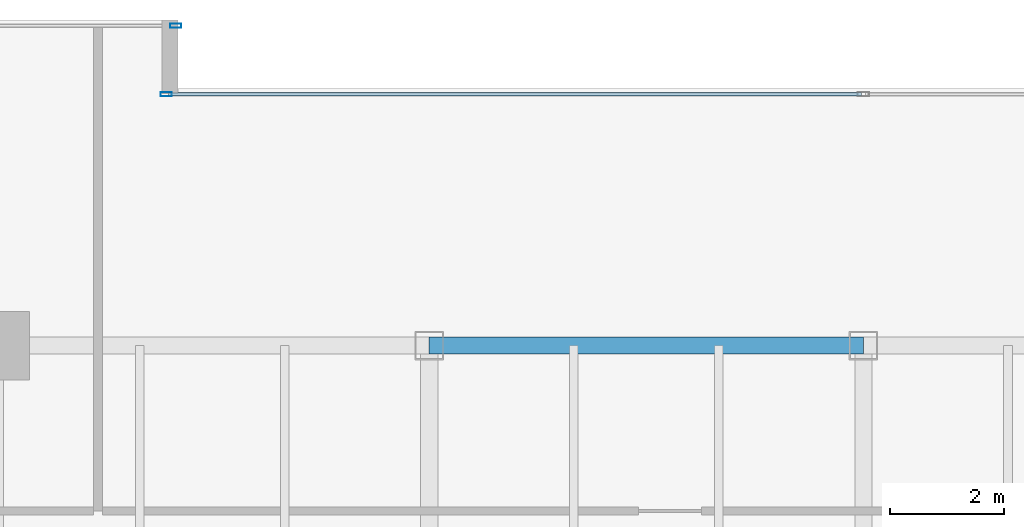
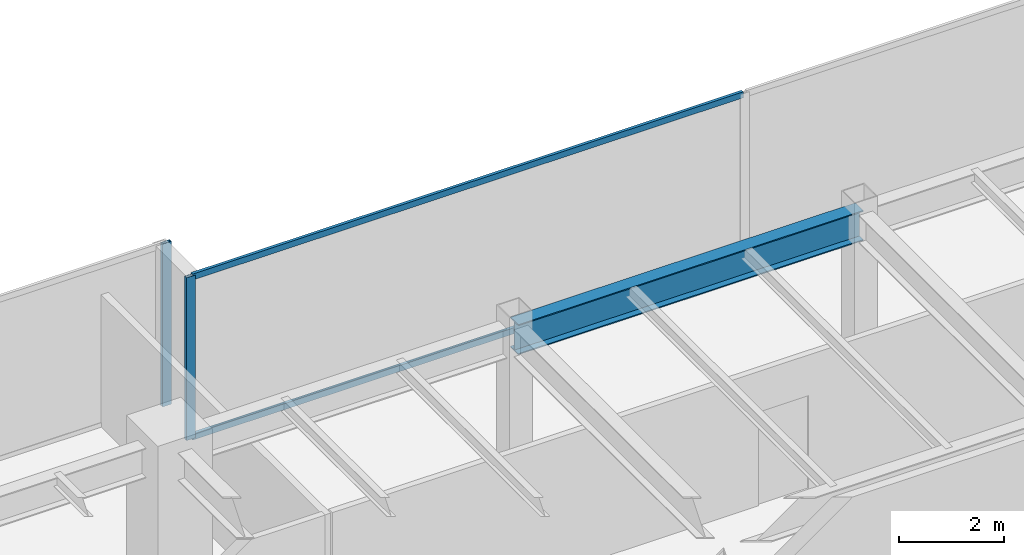
# One storey, part 16 of 30: 4 members, 1 beam, 2 elements without a shape of their own.
"""IFC4 building model written with IfcOpenShell, lengths in metres."""

from ifc_helpers import new_model, si_unit, direction, frame, origin, origin_2d, place, context, subcontext, project, spatial, hollow_rectangle, i_section, extrude, source, transform, mapped, material, layer, layer_set, material_profile, profile_set, type_object, type_shapes, element, aggregate, save


model = new_model("IFC4")

# Units and contexts
model_context = context("Model", 3, precision=1e-05, world=origin(), true_north=direction((0.0, 1.0)))
body_context = subcontext(model_context, "Body", "Model", "MODEL_VIEW")
ifc_project = project(units=[si_unit("LENGTHUNIT", "METRE"), si_unit("AREAUNIT", "SQUARE_METRE"), si_unit("VOLUMEUNIT", "CUBIC_METRE"), si_unit("PLANEANGLEUNIT", "RADIAN"), si_unit("MASSUNIT", "GRAM", prefix="KILO")], contexts=[model_context])

# Site, building, storey
site_placement = place(None, origin())
site = spatial("IfcSite", under=ifc_project, at=site_placement, CompositionType="ELEMENT")
building_placement = place(site_placement, origin())
building = spatial("IfcBuilding", under=site, at=building_placement, Name="Haelvirn Gate Laboratories", CompositionType="ELEMENT")
storey_placement = place(building_placement, frame((0.0, 0.0, 125.60009765625)))
storey = spatial("IfcBuildingStorey", under=building, at=storey_placement, Name="L30", CompositionType="ELEMENT", Elevation=125.60009765625)

# Beam
ifc_material_1 = material(Name="Steel SM355", Category="steel")
ifc_material_profile_1 = material_profile(ifc_material_1, i_section(OverallWidth=0.300048828125, OverallDepth=0.699951171875, WebThickness=0.012939453125, FlangeThickness=0.02392578125, at=origin_2d()), Name="H-700x300x13x24")
ifc_profile_set_1 = profile_set([ifc_material_profile_1], Name="Steel SM355")
beam_type = type_object("IfcBeamType", Name="BM-G-700", PredefinedType="BEAM", material=ifc_profile_set_1)
shared_shape_1 = source(origin(), body_context, "Body", "SweptSolid", [
    extrude(i_section(OverallWidth=0.300048828125, OverallDepth=0.699951171875, WebThickness=0.012939453125, FlangeThickness=0.02392578125, at=origin_2d()), origin(), (0.0, 0.0, 1.0), 7.599853515625),
])
type_shapes(beam_type, [shared_shape_1])
beam_placement = place(storey_placement, frame((29.800048828125, 41.60009765625, 3.43994140625), z_axis=(1.0, 0.0, 0.0), x_axis=(0.0, 1.0, 0.0)))
element("IfcBeam", 1, at=beam_placement, inside=storey, type_object=beam_type, Name="L30 Primary Girder Y41.6 (29.8-37.4)", PredefinedType="BEAM", context=body_context, shape_type="MappedRepresentation", body=[
    mapped(shared_shape_1, transform((0.0, 0.0, 0.0), scale=1.0)),
])

# Curtain wall, members
ifc_material_2 = material(Name="Anodised bronze unitised aluminium & triple low-E glass", Category="aluminium")
ifc_layer = layer(ifc_material_2, 0.179931640625, Name="CW-SYS-3")
ifc_layer_set = layer_set([ifc_layer], Name="Anodised bronze unitised aluminium & triple low-E glass")
curtain_wall_type = type_object("IfcCurtainWallType", Name="CW-SYS-3", PredefinedType="NOTDEFINED", material=ifc_layer_set)
curtain_wall_1_placement = place(storey_placement, origin())
curtain_wall_1 = element("IfcCurtainWall", 2, at=curtain_wall_1_placement, inside=storey, type_object=curtain_wall_type, Name="L30 Unitised Curtain Wall CW-L30-P0-E12-1", PredefinedType="NOTDEFINED")
ifc_material_3 = material(Name="Extruded aluminium 6063-T6 (anodised bronze)", Category="aluminium")
ifc_material_profile_2 = material_profile(ifc_material_3, hollow_rectangle(XDim=0.06494140625, YDim=0.139892578125, WallThickness=0.00390625, at=origin_2d()), Name="CWT-140x65x4")
ifc_profile_set_2 = profile_set([ifc_material_profile_2], Name="Extruded aluminium 6063-T6 (anodised bronze)")
member_type_1 = type_object("IfcMemberType", Name="CWT-T140", PredefinedType="USERDEFINED", material=ifc_profile_set_2)
shared_shape_2 = source(origin(), body_context, "Body", "SweptSolid", [
    extrude(hollow_rectangle(XDim=0.06494140625, YDim=0.139892578125, WallThickness=0.00390625, at=origin_2d()), origin(), (0.0, 0.0, 1.0), 12.12744140625),
])
type_shapes(member_type_1, [shared_shape_2])
member_1_placement = place(storey_placement, frame((25.235107421875, 46.0, 0.032470703125), z_axis=(1.0, 0.0, 0.0), x_axis=(0.0, 1.0, 0.0)))
member_1 = element("IfcMember", 3, at=member_1_placement, type_object=member_type_1, Name="CW3 transom 1.1", ObjectType="TRANSOM", PredefinedType="USERDEFINED", context=body_context, shape_type="MappedRepresentation", body=[
    mapped(shared_shape_2, transform((0.0, 0.0, 0.0), scale=1.0)),
])
member_2_placement = place(storey_placement, frame((25.235107421875, 46.0, 3.75732421875), z_axis=(1.0, 0.0, 0.0), x_axis=(0.0, 1.0, 0.0)))
member_2 = element("IfcMember", 4, at=member_2_placement, type_object=member_type_1, Name="CW3 transom 1.2", ObjectType="TRANSOM", PredefinedType="USERDEFINED", context=body_context, shape_type="MappedRepresentation", body=[
    mapped(shared_shape_2, transform((0.0, 0.0, 0.0), scale=1.0)),
])
ifc_material_profile_3 = material_profile(ifc_material_3, hollow_rectangle(XDim=0.074951171875, YDim=0.199951171875, WallThickness=0.0048828125, at=origin_2d()), Name="CWM-200x75x5")
ifc_profile_set_3 = profile_set([ifc_material_profile_3], Name="Extruded aluminium 6063-T6 (anodised bronze)")
member_type_2 = type_object("IfcMemberType", Name="CWM-T200", PredefinedType="MULLION", material=ifc_profile_set_3)
shared_shape_3 = source(origin(), body_context, "Body", "SweptSolid", [
    extrude(hollow_rectangle(XDim=0.074951171875, YDim=0.199951171875, WallThickness=0.0048828125, at=origin_2d()), origin(), (0.0, 0.0, 1.0), 3.789794921875),
])
type_shapes(member_type_2, [shared_shape_3])
member_3_placement = place(storey_placement, frame((25.197509765625, 46.0, 0.0), z_axis=(0.0, 0.0, 1.0), x_axis=(0.0, 1.0, 0.0)))
member_3 = element("IfcMember", 5, at=member_3_placement, type_object=member_type_2, Name="CW3 mullion 1", PredefinedType="MULLION", context=body_context, shape_type="MappedRepresentation", body=[
    mapped(shared_shape_3, transform((0.0, 0.0, 0.0), scale=1.0)),
])
aggregate(curtain_wall_1, [member_3, member_1, member_2])

# Curtain wall, member
curtain_wall_2_placement = place(storey_placement, origin())
curtain_wall_2 = element("IfcCurtainWall", 6, at=curtain_wall_2_placement, inside=storey, type_object=curtain_wall_type, Name="L30 Unitised Curtain Wall CW-L30-P0-E14-1", PredefinedType="NOTDEFINED")
member_4_placement = place(storey_placement, frame((25.362548828125, 47.199951171875, 0.0), z_axis=(0.0, 0.0, 1.0), x_axis=(0.0, 1.0, 0.0)))
member_4 = element("IfcMember", 7, at=member_4_placement, type_object=member_type_2, Name="CW3 mullion 3", PredefinedType="MULLION", context=body_context, shape_type="MappedRepresentation", body=[
    mapped(shared_shape_3, transform((0.0, 0.0, 0.0), scale=1.0)),
])
aggregate(curtain_wall_2, [member_4])

save(model, "model.ifc")
